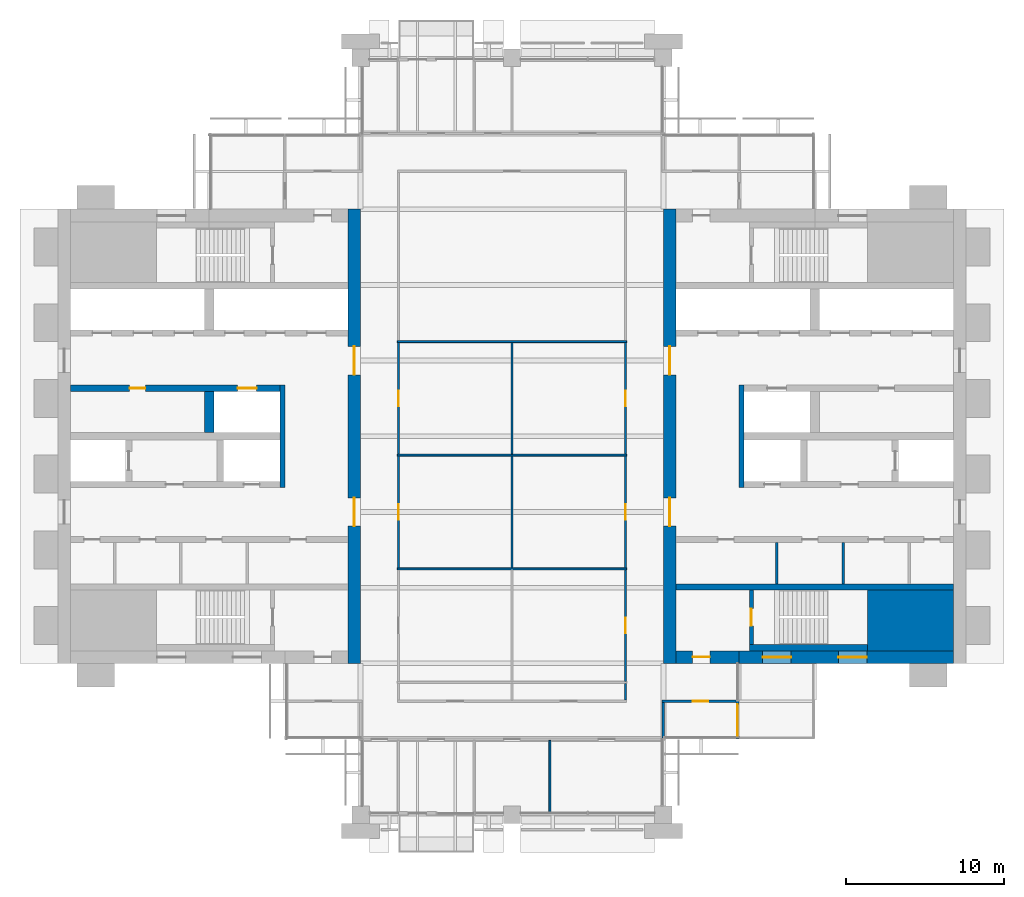
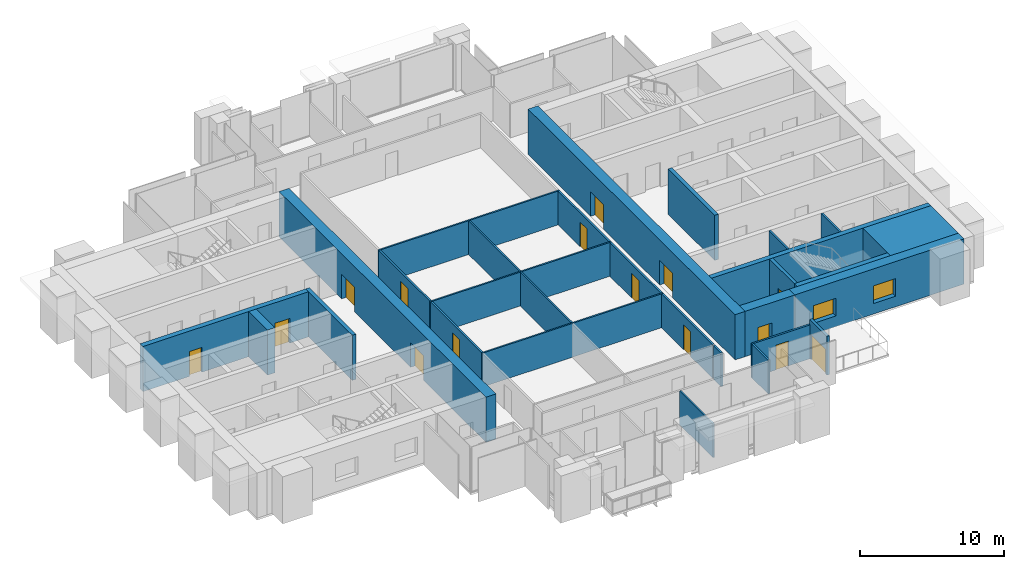
# One storey, part 9 of 14: 29 walls, 15 doors, 2 windows, 17 openings.
"""IFC4 building model written with IfcOpenShell, lengths in metres."""

from ifc_helpers import new_model, si_unit, direction, frame, frame_2d, origin, place, context, subcontext, project, spatial, rectangle, extrude, material, layer, layer_set, type_object, element, fill, save


model = new_model("IFC4")

# Units and contexts
model_context = context("Model", 3, precision=1e-05, world=origin(), true_north=direction((0.0, 1.0)))
body_context = subcontext(model_context, "Body", "Model", "MODEL_VIEW")
ifc_project = project(units=[si_unit("LENGTHUNIT", "METRE"), si_unit("AREAUNIT", "SQUARE_METRE"), si_unit("VOLUMEUNIT", "CUBIC_METRE"), si_unit("PLANEANGLEUNIT", "RADIAN"), si_unit("MASSUNIT", "GRAM", prefix="KILO")], contexts=[model_context])

# Site, building, storey
site_placement = place(None, origin())
site = spatial("IfcSite", under=ifc_project, at=site_placement, CompositionType="ELEMENT")
building_placement = place(site_placement, origin())
building = spatial("IfcBuilding", under=site, at=building_placement, Name="Baori Bourse Tower", CompositionType="ELEMENT")
storey_placement = place(building_placement, frame((0.0, 0.0, 233.199951171875)))
storey = spatial("IfcBuildingStorey", under=building, at=storey_placement, Name="L51", CompositionType="ELEMENT", Elevation=233.199951171875)

# Walls
ifc_material_1 = material(Name="Concrete f'c 50 MPa", Category="concrete")
wall_type_1 = type_object("IfcWallType", Name="Core corner block f'c 50", PredefinedType="SHEAR", material=ifc_material_1)
wall_1_placement = place(storey_placement, frame((51.35009765625, 12.324951171875, 0.0), z_axis=(0.0, 0.0, 1.0), x_axis=(1.0, 0.0, 0.0)))
element("IfcWall", 1, at=wall_1_placement, inside=storey, type_object=wall_type_1, Name="Core wall E05", PredefinedType="SHEAR", context=body_context, shape_type="SweptSolid", body=[
    extrude(rectangle(XDim=5.449951171875, YDim=3.85009765625, at=frame_2d((2.72509765625, 0.0))), origin(), (0.0, 0.0, 1.0), 3.840087890625),
])
ifc_material_2 = material(Name="Blockwork partition", Category="masonry")
ifc_layer_1 = layer(ifc_material_2, 0.14990234375)
ifc_layer_set_1 = layer_set([ifc_layer_1], Name="Core partition 150")
wall_type_2 = type_object("IfcWallType", Name="Core partition 150", PredefinedType="PARTITIONING", material=ifc_layer_set_1)
for number, where, z_axis, x_axis, name in (
    (2, (49.800048828125, 14.64990234375, 0.0), (0.0, 0.0, 1.0), (0.0, 1.0, 0.0), "Partition wall E10"),
    (3, (45.60009765625, 14.64990234375, 0.0), (0.0, 0.0, 1.0), (0.0, 1.0, 0.0), "Partition wall E11"),
):
    element("IfcWall", number, at=place(storey_placement, frame(where, z_axis=z_axis, x_axis=x_axis)), inside=storey, type_object=wall_type_2, Name=name, PredefinedType="PARTITIONING", context=body_context, shape_type="SweptSolid", body=[
        extrude(rectangle(XDim=2.60009765625, YDim=0.14990234375, at=frame_2d((1.300048828125, 0.0))), origin(), (0.0, 0.0, 1.0), 3.840087890625),
    ])

# Wall, openings, doors
ifc_material_3 = material(Name="Concrete f'c 50 MPa", Category="concrete")
ifc_layer_2 = layer(ifc_material_3, 0.800048828125)
ifc_layer_set_2 = layer_set([ifc_layer_2], Name="Core wall 800 f'c 50")
wall_type_3 = type_object("IfcWallType", Name="Core wall 800 f'c 50", PredefinedType="SHEAR", material=ifc_layer_set_2)
wall_2_placement = place(storey_placement, frame((18.800048828125, 38.39990234375, 0.0), z_axis=(0.0, 0.0, 1.0), x_axis=(0.0, -1.0, 0.0)))
wall_2 = element("IfcWall", 4, at=wall_2_placement, inside=storey, type_object=wall_type_3, Name="Core wall W04", PredefinedType="SHEAR", context=body_context, shape_type="SweptSolid", body=[
    extrude(rectangle(XDim=28.7998046875, YDim=0.800048828125, at=frame_2d((14.39990234375, 0.0))), origin(), (0.0, 0.0, 1.0), 3.840087890625),
])
opening_1_placement = place(wall_2_placement, frame((18.300048828125, 0.0, 0.0)))
opening_1 = element("IfcOpeningElement", 5, at=opening_1_placement, cuts=wall_2, Name="Opening L51-D107", PredefinedType="OPENING", context=body_context, shape_type="SweptSolid", body=[
    extrude(rectangle(XDim=1.800048828125, YDim=2.10009765625, at=frame_2d((0.89990234375, 1.050048828125))), frame((0.0, 0.409912109375, 0.0), z_axis=(0.0, -1.0, 0.0), x_axis=(1.0, 0.0, 0.0)), (0.0, 0.0, 1.0), 0.820068359375),
])
opening_2_placement = place(wall_2_placement, frame((8.699951171875, 0.0, 0.0)))
opening_2 = element("IfcOpeningElement", 6, at=opening_2_placement, cuts=wall_2, Name="Opening L51-D108", PredefinedType="OPENING", context=body_context, shape_type="SweptSolid", body=[
    extrude(rectangle(XDim=1.800048828125, YDim=2.10009765625, at=frame_2d((0.89990234375, 1.050048828125))), frame((0.0, 0.409912109375, 0.0), z_axis=(0.0, -1.0, 0.0), x_axis=(1.0, 0.0, 0.0)), (0.0, 0.0, 1.0), 0.820068359375),
])
ifc_material_4 = material(Name="Painted steel door", Category="steel")
door_type_1 = type_object("IfcDoorType", Name="Core lobby door 1800", OperationType="DOUBLE_DOOR_SINGLE_SWING", PredefinedType="DOOR", material=ifc_material_4)
door_1_placement = place(opening_1_placement, origin())
door_1 = element("IfcDoor", 7, at=door_1_placement, inside=storey, type_object=door_type_1, Name="Lobby door W L51", OperationType="DOUBLE_DOOR_SINGLE_SWING", OverallHeight=2.10009765625, OverallWidth=1.800048828125, PredefinedType="DOOR", context=body_context, shape_type="SweptSolid", body=[
    extrude(rectangle(XDim=1.800048828125, YDim=2.10009765625, at=frame_2d((0.89990234375, 1.050048828125))), frame((0.0, 0.02490234375, 0.0), z_axis=(0.0, -1.0, 0.0), x_axis=(1.0, 0.0, 0.0)), (0.0, 0.0, 1.0), 0.050048828125),
])
fill(opening_1, door_1)
door_2_placement = place(opening_2_placement, origin())
door_2 = element("IfcDoor", 8, at=door_2_placement, inside=storey, type_object=door_type_1, Name="Lobby door W L51", OperationType="DOUBLE_DOOR_SINGLE_SWING", OverallHeight=2.10009765625, OverallWidth=1.800048828125, PredefinedType="DOOR", context=body_context, shape_type="SweptSolid", body=[
    extrude(rectangle(XDim=1.800048828125, YDim=2.10009765625, at=frame_2d((0.89990234375, 1.050048828125))), frame((0.0, 0.02490234375, 0.0), z_axis=(0.0, -1.0, 0.0), x_axis=(1.0, 0.0, 0.0)), (0.0, 0.0, 1.0), 0.050048828125),
])
fill(opening_2, door_2)

# Wall, openings, windows
wall_3_placement = place(storey_placement, frame((56.800048828125, 10.0, 0.0), z_axis=(0.0, 0.0, 1.0), x_axis=(-1.0, 0.0, 0.0)))
wall_3 = element("IfcWall", 9, at=wall_3_placement, inside=storey, type_object=wall_type_3, Name="Core wall E02", PredefinedType="SHEAR", context=body_context, shape_type="SweptSolid", body=[
    extrude(rectangle(XDim=13.60009765625, YDim=0.800048828125, at=frame_2d((6.800048828125, 0.0))), origin(), (0.0, 0.0, 1.0), 3.840087890625),
])
opening_3_placement = place(wall_3_placement, frame((5.5, 0.0, 0.89990234375)))
opening_3 = element("IfcOpeningElement", 10, at=opening_3_placement, cuts=wall_3, Name="Opening L51-KW203", PredefinedType="OPENING", context=body_context, shape_type="SweptSolid", body=[
    extrude(rectangle(XDim=1.800048828125, YDim=1.5, at=frame_2d((0.89990234375, 0.75))), frame((0.0, 0.409912109375, 0.0), z_axis=(0.0, -1.0, 0.0), x_axis=(1.0, 0.0, 0.0)), (0.0, 0.0, 1.0), 0.820068359375),
])
opening_4_placement = place(wall_3_placement, frame((10.300048828125, 0.0, 0.89990234375)))
opening_4 = element("IfcOpeningElement", 11, at=opening_4_placement, cuts=wall_3, Name="Opening L51-KW204", PredefinedType="OPENING", context=body_context, shape_type="SweptSolid", body=[
    extrude(rectangle(XDim=1.800048828125, YDim=1.5, at=frame_2d((0.89990234375, 0.75))), frame((0.0, 0.409912109375, 0.0), z_axis=(0.0, -1.0, 0.0), x_axis=(1.0, 0.0, 0.0)), (0.0, 0.0, 1.0), 0.820068359375),
])
ifc_material_5 = material(Name="Pale anodised aluminium", Category="aluminium")
window_type = type_object("IfcWindowType", Name="Stair window 1800 x 1500", PartitioningType="SINGLE_PANEL", PredefinedType="WINDOW", material=ifc_material_5)
window_1_placement = place(opening_3_placement, origin())
window_1 = element("IfcWindow", 12, at=window_1_placement, inside=storey, type_object=window_type, Name="Stair window E L51 3", OverallHeight=1.5, OverallWidth=1.800048828125, PartitioningType="SINGLE_PANEL", PredefinedType="WINDOW", context=body_context, shape_type="SweptSolid", body=[
    extrude(rectangle(XDim=1.800048828125, YDim=1.5, at=frame_2d((0.89990234375, 0.75))), frame((0.0, 0.030029296875, 0.0), z_axis=(0.0, -1.0, 0.0), x_axis=(1.0, 0.0, 0.0)), (0.0, 0.0, 1.0), 0.06005859375),
])
fill(opening_3, window_1)
window_2_placement = place(opening_4_placement, origin())
window_2 = element("IfcWindow", 13, at=window_2_placement, inside=storey, type_object=window_type, Name="Stair window E L51 4", OverallHeight=1.5, OverallWidth=1.800048828125, PartitioningType="SINGLE_PANEL", PredefinedType="WINDOW", context=body_context, shape_type="SweptSolid", body=[
    extrude(rectangle(XDim=1.800048828125, YDim=1.5, at=frame_2d((0.89990234375, 0.75))), frame((0.0, 0.030029296875, 0.0), z_axis=(0.0, -1.0, 0.0), x_axis=(1.0, 0.0, 0.0)), (0.0, 0.0, 1.0), 0.06005859375),
])
fill(opening_4, window_2)

# Wall, opening, door
wall_4_placement = place(storey_placement, frame((43.199951171875, 10.0, 0.0), z_axis=(0.0, 0.0, 1.0), x_axis=(-1.0, 0.0, 0.0)))
wall_4 = element("IfcWall", 14, at=wall_4_placement, inside=storey, type_object=wall_type_3, Name="Core wall E03", PredefinedType="SHEAR", context=body_context, shape_type="SweptSolid", body=[
    extrude(rectangle(XDim=4.0, YDim=0.800048828125, at=frame_2d((2.0, 0.0))), origin(), (0.0, 0.0, 1.0), 3.840087890625),
])
opening_5_placement = place(wall_4_placement, frame((1.85009765625, 0.0, 0.0)))
opening_5 = element("IfcOpeningElement", 15, at=opening_5_placement, cuts=wall_4, Name="Opening L51-D202", PredefinedType="OPENING", context=body_context, shape_type="SweptSolid", body=[
    extrude(rectangle(XDim=1.10009765625, YDim=2.10009765625, at=frame_2d((0.550048828125, 1.050048828125))), frame((0.0, 0.409912109375, 0.0), z_axis=(0.0, -1.0, 0.0), x_axis=(1.0, 0.0, 0.0)), (0.0, 0.0, 1.0), 0.820068359375),
])
ifc_material_6 = material(Name="Painted steel door", Category="steel")
door_type_2 = type_object("IfcDoorType", Name="Stair door 1100", OperationType="SINGLE_SWING_LEFT", PredefinedType="DOOR", material=ifc_material_6)
door_3_placement = place(opening_5_placement, origin())
door_3 = element("IfcDoor", 16, at=door_3_placement, inside=storey, type_object=door_type_2, Name="Stair vestibule door A E L51", OperationType="SINGLE_SWING_LEFT", OverallHeight=2.10009765625, OverallWidth=1.10009765625, PredefinedType="DOOR", context=body_context, shape_type="SweptSolid", body=[
    extrude(rectangle(XDim=1.10009765625, YDim=2.10009765625, at=frame_2d((0.550048828125, 1.050048828125))), frame((0.0, 0.02490234375, 0.0), z_axis=(0.0, -1.0, 0.0), x_axis=(1.0, 0.0, 0.0)), (0.0, 0.0, 1.0), 0.050048828125),
])
fill(opening_5, door_3)

# Wall, openings, doors
wall_5_placement = place(storey_placement, frame((38.800048828125, 9.60009765625, 0.0), z_axis=(0.0, 0.0, 1.0), x_axis=(0.0, 1.0, 0.0)))
wall_5 = element("IfcWall", 17, at=wall_5_placement, inside=storey, type_object=wall_type_3, Name="Core wall E04", PredefinedType="SHEAR", context=body_context, shape_type="SweptSolid", body=[
    extrude(rectangle(XDim=28.7998046875, YDim=0.800048828125, at=frame_2d((14.39990234375, 0.0))), origin(), (0.0, 0.0, 1.0), 3.840087890625),
])
opening_6_placement = place(wall_5_placement, frame((8.699951171875, 0.0, 0.0)))
opening_6 = element("IfcOpeningElement", 18, at=opening_6_placement, cuts=wall_5, Name="Opening L51-D207", PredefinedType="OPENING", context=body_context, shape_type="SweptSolid", body=[
    extrude(rectangle(XDim=1.800048828125, YDim=2.10009765625, at=frame_2d((0.89990234375, 1.050048828125))), frame((0.0, 0.409912109375, 0.0), z_axis=(0.0, -1.0, 0.0), x_axis=(1.0, 0.0, 0.0)), (0.0, 0.0, 1.0), 0.820068359375),
])
opening_7_placement = place(wall_5_placement, frame((18.300048828125, 0.0, 0.0)))
opening_7 = element("IfcOpeningElement", 19, at=opening_7_placement, cuts=wall_5, Name="Opening L51-D208", PredefinedType="OPENING", context=body_context, shape_type="SweptSolid", body=[
    extrude(rectangle(XDim=1.800048828125, YDim=2.10009765625, at=frame_2d((0.89990234375, 1.050048828125))), frame((0.0, 0.409912109375, 0.0), z_axis=(0.0, -1.0, 0.0), x_axis=(1.0, 0.0, 0.0)), (0.0, 0.0, 1.0), 0.820068359375),
])
door_4_placement = place(opening_6_placement, origin())
door_4 = element("IfcDoor", 20, at=door_4_placement, inside=storey, type_object=door_type_1, Name="Lobby door E L51", OperationType="DOUBLE_DOOR_SINGLE_SWING", OverallHeight=2.10009765625, OverallWidth=1.800048828125, PredefinedType="DOOR", context=body_context, shape_type="SweptSolid", body=[
    extrude(rectangle(XDim=1.800048828125, YDim=2.10009765625, at=frame_2d((0.89990234375, 1.050048828125))), frame((0.0, 0.02490234375, 0.0), z_axis=(0.0, -1.0, 0.0), x_axis=(1.0, 0.0, 0.0)), (0.0, 0.0, 1.0), 0.050048828125),
])
fill(opening_6, door_4)
door_5_placement = place(opening_7_placement, origin())
door_5 = element("IfcDoor", 21, at=door_5_placement, inside=storey, type_object=door_type_1, Name="Lobby door E L51", OperationType="DOUBLE_DOOR_SINGLE_SWING", OverallHeight=2.10009765625, OverallWidth=1.800048828125, PredefinedType="DOOR", context=body_context, shape_type="SweptSolid", body=[
    extrude(rectangle(XDim=1.800048828125, YDim=2.10009765625, at=frame_2d((0.89990234375, 1.050048828125))), frame((0.0, 0.02490234375, 0.0), z_axis=(0.0, -1.0, 0.0), x_axis=(1.0, 0.0, 0.0)), (0.0, 0.0, 1.0), 0.050048828125),
])
fill(opening_7, door_5)

# Wall, opening, door
ifc_material_7 = material(Name="Gypsum board partition")
ifc_layer_3 = layer(ifc_material_7, 0.14990234375)
ifc_layer_set_3 = layer_set([ifc_layer_3], Name="Corridor partition 150")
wall_type_4 = type_object("IfcWallType", Name="Corridor partition 150", PredefinedType="PARTITIONING", material=ifc_layer_set_3)
wall_6_placement = place(storey_placement, frame((38.324951171875, 7.199951171875, 0.0), z_axis=(0.0, 0.0, 1.0), x_axis=(1.0, 0.0, 0.0)))
wall_6 = element("IfcWall", 22, at=wall_6_placement, inside=storey, type_object=wall_type_4, Name="Partition", PredefinedType="PARTITIONING", context=body_context, shape_type="SweptSolid", body=[
    extrude(rectangle(XDim=4.775146484375, YDim=0.14990234375, at=frame_2d((2.3876953125, 0.0))), origin(), (0.0, 0.0, 1.0), 2.869873046875),
])
opening_8_placement = place(wall_6_placement, frame((1.925048828125, 0.0, 0.0)))
opening_8 = element("IfcOpeningElement", 23, at=opening_8_placement, cuts=wall_6, Name="Opening L51-D08", PredefinedType="OPENING", context=body_context, shape_type="SweptSolid", body=[
    extrude(rectangle(XDim=1.0, YDim=2.10009765625, at=frame_2d((0.5, 1.050048828125))), frame((0.0, 0.0849609375, 0.0), z_axis=(0.0, -1.0, 0.0), x_axis=(1.0, 0.0, 0.0)), (0.0, 0.0, 1.0), 0.169921875),
])
ifc_material_8 = material(Name="Timber door leaf", Category="wood")
door_type_3 = type_object("IfcDoorType", Name="Door 1000 x 2100", OperationType="SINGLE_SWING_LEFT", PredefinedType="DOOR", material=ifc_material_8)
door_6_placement = place(opening_8_placement, origin())
door_6 = element("IfcDoor", 24, at=door_6_placement, inside=storey, type_object=door_type_3, Name="Door", OperationType="SINGLE_SWING_RIGHT", OverallHeight=2.10009765625, OverallWidth=1.0, PredefinedType="DOOR", context=body_context, shape_type="SweptSolid", body=[
    extrude(rectangle(XDim=1.0, YDim=2.10009765625, at=frame_2d((0.5, 1.050048828125))), frame((0.0, 0.02490234375, 0.0), z_axis=(0.0, -1.0, 0.0), x_axis=(1.0, 0.0, 0.0)), (0.0, 0.0, 1.0), 0.050048828125),
])
fill(opening_8, door_6)

wall_7_placement = place(storey_placement, frame((21.60009765625, 15.66259765625, 0.0), z_axis=(0.0, 0.0, 1.0), x_axis=(0.0, 1.0, 0.0)))
wall_7 = element("IfcWall", 25, at=wall_7_placement, inside=storey, type_object=wall_type_4, Name="Partition", PredefinedType="PARTITIONING", context=body_context, shape_type="SweptSolid", body=[
    extrude(rectangle(XDim=7.074951171875, YDim=0.14990234375, at=frame_2d((3.53759765625, 0.0))), origin(), (0.0, 0.0, 1.0), 2.869873046875),
])
opening_9_placement = place(wall_7_placement, frame((3.03759765625, 0.0, 0.0)))
opening_9 = element("IfcOpeningElement", 26, at=opening_9_placement, cuts=wall_7, Name="Opening L51-D18", PredefinedType="OPENING", context=body_context, shape_type="SweptSolid", body=[
    extrude(rectangle(XDim=1.0, YDim=2.10009765625, at=frame_2d((0.5, 1.050048828125))), frame((0.0, 0.0849609375, 0.0), z_axis=(0.0, -1.0, 0.0), x_axis=(1.0, 0.0, 0.0)), (0.0, 0.0, 1.0), 0.169921875),
])
door_7_placement = place(opening_9_placement, origin())
door_7 = element("IfcDoor", 27, at=door_7_placement, inside=storey, type_object=door_type_3, Name="Door", OperationType="SINGLE_SWING_LEFT", OverallHeight=2.10009765625, OverallWidth=1.0, PredefinedType="DOOR", context=body_context, shape_type="SweptSolid", body=[
    extrude(rectangle(XDim=1.0, YDim=2.10009765625, at=frame_2d((0.5, 1.050048828125))), frame((0.0, 0.02490234375, 0.0), z_axis=(0.0, -1.0, 0.0), x_axis=(1.0, 0.0, 0.0)), (0.0, 0.0, 1.0), 0.050048828125),
])
fill(opening_9, door_7)

wall_8_placement = place(storey_placement, frame((21.60009765625, 22.862548828125, 0.0), z_axis=(0.0, 0.0, 1.0), x_axis=(0.0, 1.0, 0.0)))
wall_8 = element("IfcWall", 28, at=wall_8_placement, inside=storey, type_object=wall_type_4, Name="Partition", PredefinedType="PARTITIONING", context=body_context, shape_type="SweptSolid", body=[
    extrude(rectangle(XDim=7.074951171875, YDim=0.14990234375, at=frame_2d((3.53759765625, 0.0))), origin(), (0.0, 0.0, 1.0), 2.869873046875),
])
opening_10_placement = place(wall_8_placement, frame((3.03759765625, 0.0, 0.0)))
opening_10 = element("IfcOpeningElement", 29, at=opening_10_placement, cuts=wall_8, Name="Opening L51-D19", PredefinedType="OPENING", context=body_context, shape_type="SweptSolid", body=[
    extrude(rectangle(XDim=1.0, YDim=2.10009765625, at=frame_2d((0.5, 1.050048828125))), frame((0.0, 0.0849609375, 0.0), z_axis=(0.0, -1.0, 0.0), x_axis=(1.0, 0.0, 0.0)), (0.0, 0.0, 1.0), 0.169921875),
])
door_8_placement = place(opening_10_placement, origin())
door_8 = element("IfcDoor", 30, at=door_8_placement, inside=storey, type_object=door_type_3, Name="Door", OperationType="SINGLE_SWING_LEFT", OverallHeight=2.10009765625, OverallWidth=1.0, PredefinedType="DOOR", context=body_context, shape_type="SweptSolid", body=[
    extrude(rectangle(XDim=1.0, YDim=2.10009765625, at=frame_2d((0.5, 1.050048828125))), frame((0.0, 0.02490234375, 0.0), z_axis=(0.0, -1.0, 0.0), x_axis=(1.0, 0.0, 0.0)), (0.0, 0.0, 1.0), 0.050048828125),
])
fill(opening_10, door_8)

# Wall
wall_9_placement = place(storey_placement, frame((36.0, 7.27490234375, 0.0), z_axis=(0.0, 0.0, 1.0), x_axis=(0.0, 1.0, 0.0)))
element("IfcWall", 31, at=wall_9_placement, inside=storey, type_object=wall_type_4, Name="Partition", PredefinedType="PARTITIONING", context=body_context, shape_type="SweptSolid", body=[
    extrude(rectangle(XDim=1.0625, YDim=0.14990234375, at=frame_2d((0.53125, 0.0))), origin(), (0.0, 0.0, 1.0), 2.869873046875),
])

# Wall, opening, door
wall_10_placement = place(storey_placement, frame((36.0, 8.46240234375, 0.0), z_axis=(0.0, 0.0, 1.0), x_axis=(0.0, 1.0, 0.0)))
wall_10 = element("IfcWall", 32, at=wall_10_placement, inside=storey, type_object=wall_type_4, Name="Partition", PredefinedType="PARTITIONING", context=body_context, shape_type="SweptSolid", body=[
    extrude(rectangle(XDim=7.0751953125, YDim=0.14990234375, at=frame_2d((3.53759765625, 0.0))), origin(), (0.0, 0.0, 1.0), 2.869873046875),
])
opening_11_placement = place(wall_10_placement, frame((3.03759765625, 0.0, 0.0)))
opening_11 = element("IfcOpeningElement", 33, at=opening_11_placement, cuts=wall_10, Name="Opening L51-D20", PredefinedType="OPENING", context=body_context, shape_type="SweptSolid", body=[
    extrude(rectangle(XDim=1.0, YDim=2.10009765625, at=frame_2d((0.5, 1.050048828125))), frame((0.0, 0.0849609375, 0.0), z_axis=(0.0, -1.0, 0.0), x_axis=(1.0, 0.0, 0.0)), (0.0, 0.0, 1.0), 0.169921875),
])
door_9_placement = place(opening_11_placement, origin())
door_9 = element("IfcDoor", 34, at=door_9_placement, inside=storey, type_object=door_type_3, Name="Door", OperationType="SINGLE_SWING_RIGHT", OverallHeight=2.10009765625, OverallWidth=1.0, PredefinedType="DOOR", context=body_context, shape_type="SweptSolid", body=[
    extrude(rectangle(XDim=1.0, YDim=2.10009765625, at=frame_2d((0.5, 1.050048828125))), frame((0.0, 0.02490234375, 0.0), z_axis=(0.0, -1.0, 0.0), x_axis=(1.0, 0.0, 0.0)), (0.0, 0.0, 1.0), 0.050048828125),
])
fill(opening_11, door_9)

wall_11_placement = place(storey_placement, frame((36.0, 15.66259765625, 0.0), z_axis=(0.0, 0.0, 1.0), x_axis=(0.0, 1.0, 0.0)))
wall_11 = element("IfcWall", 35, at=wall_11_placement, inside=storey, type_object=wall_type_4, Name="Partition", PredefinedType="PARTITIONING", context=body_context, shape_type="SweptSolid", body=[
    extrude(rectangle(XDim=7.074951171875, YDim=0.14990234375, at=frame_2d((3.53759765625, 0.0))), origin(), (0.0, 0.0, 1.0), 2.869873046875),
])
opening_12_placement = place(wall_11_placement, frame((3.03759765625, 0.0, 0.0)))
opening_12 = element("IfcOpeningElement", 36, at=opening_12_placement, cuts=wall_11, Name="Opening L51-D21", PredefinedType="OPENING", context=body_context, shape_type="SweptSolid", body=[
    extrude(rectangle(XDim=1.0, YDim=2.10009765625, at=frame_2d((0.5, 1.050048828125))), frame((0.0, 0.0849609375, 0.0), z_axis=(0.0, -1.0, 0.0), x_axis=(1.0, 0.0, 0.0)), (0.0, 0.0, 1.0), 0.169921875),
])
door_10_placement = place(opening_12_placement, origin())
door_10 = element("IfcDoor", 37, at=door_10_placement, inside=storey, type_object=door_type_3, Name="Door", OperationType="SINGLE_SWING_RIGHT", OverallHeight=2.10009765625, OverallWidth=1.0, PredefinedType="DOOR", context=body_context, shape_type="SweptSolid", body=[
    extrude(rectangle(XDim=1.0, YDim=2.10009765625, at=frame_2d((0.5, 1.050048828125))), frame((0.0, 0.02490234375, 0.0), z_axis=(0.0, -1.0, 0.0), x_axis=(1.0, 0.0, 0.0)), (0.0, 0.0, 1.0), 0.050048828125),
])
fill(opening_12, door_10)

wall_12_placement = place(storey_placement, frame((36.0, 22.862548828125, 0.0), z_axis=(0.0, 0.0, 1.0), x_axis=(0.0, 1.0, 0.0)))
wall_12 = element("IfcWall", 38, at=wall_12_placement, inside=storey, type_object=wall_type_4, Name="Partition", PredefinedType="PARTITIONING", context=body_context, shape_type="SweptSolid", body=[
    extrude(rectangle(XDim=7.074951171875, YDim=0.14990234375, at=frame_2d((3.53759765625, 0.0))), origin(), (0.0, 0.0, 1.0), 2.869873046875),
])
opening_13_placement = place(wall_12_placement, frame((3.03759765625, 0.0, 0.0)))
opening_13 = element("IfcOpeningElement", 39, at=opening_13_placement, cuts=wall_12, Name="Opening L51-D22", PredefinedType="OPENING", context=body_context, shape_type="SweptSolid", body=[
    extrude(rectangle(XDim=1.0, YDim=2.10009765625, at=frame_2d((0.5, 1.050048828125))), frame((0.0, 0.0849609375, 0.0), z_axis=(0.0, -1.0, 0.0), x_axis=(1.0, 0.0, 0.0)), (0.0, 0.0, 1.0), 0.169921875),
])
door_11_placement = place(opening_13_placement, origin())
door_11 = element("IfcDoor", 40, at=door_11_placement, inside=storey, type_object=door_type_3, Name="Door", OperationType="SINGLE_SWING_RIGHT", OverallHeight=2.10009765625, OverallWidth=1.0, PredefinedType="DOOR", context=body_context, shape_type="SweptSolid", body=[
    extrude(rectangle(XDim=1.0, YDim=2.10009765625, at=frame_2d((0.5, 1.050048828125))), frame((0.0, 0.02490234375, 0.0), z_axis=(0.0, -1.0, 0.0), x_axis=(1.0, 0.0, 0.0)), (0.0, 0.0, 1.0), 0.050048828125),
])
fill(opening_13, door_11)

# Wall
wall_13_placement = place(storey_placement, frame((38.39990234375, 4.875, 0.0), z_axis=(0.0, 0.0, 1.0), x_axis=(0.0, 1.0, 0.0)))
element("IfcWall", 41, at=wall_13_placement, inside=storey, type_object=wall_type_4, Name="Partition", PredefinedType="PARTITIONING", context=body_context, shape_type="SweptSolid", body=[
    extrude(rectangle(XDim=2.25, YDim=0.14990234375, at=frame_2d((1.125, 0.0))), origin(), (0.0, 0.0, 1.0), 2.869873046875),
])

# Wall, opening, door
ifc_material_9 = material(Name="Pale anodised aluminium", Category="aluminium")
ifc_layer_4 = layer(ifc_material_9, 0.199951171875)
ifc_layer_set_4 = layer_set([ifc_layer_4], Name="EW1 External wall bay")
wall_type_5 = type_object("IfcWallType", Name="EW1 External wall bay", PredefinedType="SOLIDWALL", material=ifc_layer_set_4)
wall_14_placement = place(storey_placement, frame((43.10009765625, 4.800048828125, 0.0), z_axis=(0.0, 0.0, 1.0), x_axis=(0.0, 1.0, 0.0)))
wall_14 = element("IfcWall", 42, at=wall_14_placement, inside=storey, type_object=wall_type_5, Name="External wall bay L51 3", PredefinedType="SOLIDWALL", context=body_context, shape_type="SweptSolid", body=[
    extrude(rectangle(XDim=2.39990234375, YDim=0.199951171875, at=frame_2d((1.199951171875, 0.0))), origin(), (0.0, 0.0, 1.0), 3.29638671875),
])
opening_14_placement = place(wall_14_placement, frame((0.199951171875, 0.0, 0.0)))
opening_14 = element("IfcOpeningElement", 43, at=opening_14_placement, cuts=wall_14, Name="Opening L51-D93", PredefinedType="OPENING", context=body_context, shape_type="SweptSolid", body=[
    extrude(rectangle(XDim=2.0, YDim=2.10009765625, at=frame_2d((1.0, 1.050048828125))), frame((0.0, 0.10986328125, 0.0), z_axis=(0.0, -1.0, 0.0), x_axis=(1.0, 0.0, 0.0)), (0.0, 0.0, 1.0), 0.219970703125),
])
ifc_material_10 = material(Name="Pale anodised aluminium", Category="aluminium")
door_type_4 = type_object("IfcDoorType", Name="TR1 Terrace door", OperationType="DOUBLE_DOOR_SINGLE_SWING", PredefinedType="DOOR", material=ifc_material_10)
door_12_placement = place(opening_14_placement, origin())
door_12 = element("IfcDoor", 44, at=door_12_placement, inside=storey, type_object=door_type_4, Name="Terrace door L51 3", OperationType="SINGLE_SWING_LEFT", OverallHeight=2.10009765625, OverallWidth=2.0, PredefinedType="DOOR", context=body_context, shape_type="SweptSolid", body=[
    extrude(rectangle(XDim=2.0, YDim=2.10009765625, at=frame_2d((1.0, 1.050048828125))), frame((0.0, 0.02490234375, 0.0), z_axis=(0.0, -1.0, 0.0), x_axis=(1.0, 0.0, 0.0)), (0.0, 0.0, 1.0), 0.050048828125),
])
fill(opening_14, door_12)

# Walls
ifc_material_11 = material(Name="Gypsum board partition")
ifc_layer_5 = layer(ifc_material_11, 0.125)
ifc_layer_set_5 = layer_set([ifc_layer_5], Name="Partition 125")
wall_type_6 = type_object("IfcWallType", Name="Partition 125", PredefinedType="PARTITIONING", material=ifc_layer_set_5)
for number, where, z_axis, x_axis, name in (
    (45, (21.52490234375, 15.60009765625, 0.0), (0.0, 0.0, 1.0), (1.0, 0.0, 0.0), "Partition"),
    (46, (21.52490234375, 22.800048828125, 0.0), (0.0, 0.0, 1.0), (1.0, 0.0, 0.0), "Partition"),
    (47, (21.52490234375, 30.0, 0.0), (0.0, 0.0, 1.0), (1.0, 0.0, 0.0), "Partition"),
):
    element("IfcWall", number, at=place(storey_placement, frame(where, z_axis=z_axis, x_axis=x_axis)), inside=storey, type_object=wall_type_6, Name=name, PredefinedType="PARTITIONING", context=body_context, shape_type="SweptSolid", body=[
        extrude(rectangle(XDim=14.550048828125, YDim=0.125, at=frame_2d((7.27490234375, 0.0))), origin(), (0.0, 0.0, 1.0), 2.869873046875),
    ])
for number, where, z_axis, x_axis, name in (
    (48, (28.800048828125, 15.66259765625, 0.0), (0.0, 0.0, 1.0), (0.0, 1.0, 0.0), "Partition"),
    (49, (28.800048828125, 22.862548828125, 0.0), (0.0, 0.0, 1.0), (0.0, 1.0, 0.0), "Partition"),
):
    element("IfcWall", number, at=place(storey_placement, frame(where, z_axis=z_axis, x_axis=x_axis)), inside=storey, type_object=wall_type_6, Name=name, PredefinedType="PARTITIONING", context=body_context, shape_type="SweptSolid", body=[
        extrude(rectangle(XDim=7.074951171875, YDim=0.125, at=frame_2d((3.53759765625, 0.0))), origin(), (0.0, 0.0, 1.0), 2.869873046875),
    ])
wall_15_placement = place(storey_placement, frame((31.199951171875, 0.10009765625, 0.0), z_axis=(0.0, 0.0, 1.0), x_axis=(0.0, 1.0, 0.0)))
element("IfcWall", 50, at=wall_15_placement, inside=storey, type_object=wall_type_6, Name="Partition", PredefinedType="PARTITIONING", context=body_context, shape_type="SweptSolid", body=[
    extrude(rectangle(XDim=4.625, YDim=0.125, at=frame_2d((2.3125, 0.0))), origin(), (0.0, 0.0, 1.0), 2.869873046875),
])

# Wall, opening, door
ifc_material_12 = material(Name="Concrete f'c 50 MPa", Category="concrete")
ifc_layer_6 = layer(ifc_material_12, 0.25)
ifc_layer_set_6 = layer_set([ifc_layer_6], Name="Shaft wall 250 f'c 50")
wall_type_7 = type_object("IfcWallType", Name="Shaft wall 250 f'c 50", PredefinedType="SHEAR", material=ifc_layer_set_6)
wall_16_placement = place(storey_placement, frame((43.97509765625, 10.800048828125, 0.0), z_axis=(0.0, 0.0, 1.0), x_axis=(0.0, 1.0, 0.0)))
wall_16 = element("IfcWall", 51, at=wall_16_placement, inside=storey, type_object=wall_type_7, Name="Core wall E07", PredefinedType="SHEAR", context=body_context, shape_type="SweptSolid", body=[
    extrude(rectangle(XDim=3.449951171875, YDim=0.25, at=frame_2d((1.72509765625, 0.0))), origin(), (0.0, 0.0, 1.0), 3.840087890625),
])
opening_15_placement = place(wall_16_placement, frame((1.175048828125, 0.0, 0.0)))
opening_15 = element("IfcOpeningElement", 52, at=opening_15_placement, cuts=wall_16, Name="Opening L51-D201", PredefinedType="OPENING", context=body_context, shape_type="SweptSolid", body=[
    extrude(rectangle(XDim=1.10009765625, YDim=2.10009765625, at=frame_2d((0.550048828125, 1.050048828125))), frame((0.0, 0.135009765625, 0.0), z_axis=(0.0, -1.0, 0.0), x_axis=(1.0, 0.0, 0.0)), (0.0, 0.0, 1.0), 0.27001953125),
])
door_13_placement = place(opening_15_placement, origin())
door_13 = element("IfcDoor", 53, at=door_13_placement, inside=storey, type_object=door_type_2, Name="Stair door A E L51", OperationType="SINGLE_SWING_LEFT", OverallHeight=2.10009765625, OverallWidth=1.10009765625, PredefinedType="DOOR", context=body_context, shape_type="SweptSolid", body=[
    extrude(rectangle(XDim=1.10009765625, YDim=2.10009765625, at=frame_2d((0.550048828125, 1.050048828125))), frame((0.0, 0.02490234375, 0.0), z_axis=(0.0, -1.0, 0.0), x_axis=(1.0, 0.0, 0.0)), (0.0, 0.0, 1.0), 0.050048828125),
])
fill(opening_15, door_13)

# Walls
ifc_material_13 = material(Name="Concrete f'c 50 MPa", Category="concrete")
ifc_layer_7 = layer(ifc_material_13, 0.300048828125)
ifc_layer_set_7 = layer_set([ifc_layer_7], Name="Shaft wall 300 f'c 50")
wall_type_8 = type_object("IfcWallType", Name="Shaft wall 300 f'c 50", PredefinedType="SHEAR", material=ifc_layer_set_7)
for number, where, z_axis, x_axis, name in (
    (54, (14.25, 20.75, 0.0), (0.0, 0.0, 1.0), (0.0, 1.0, 0.0), "Core wall W14"),
    (55, (43.35009765625, 20.75, 0.0), (0.0, 0.0, 1.0), (0.0, 1.0, 0.0), "Core wall E14"),
):
    element("IfcWall", number, at=place(storey_placement, frame(where, z_axis=z_axis, x_axis=x_axis)), inside=storey, type_object=wall_type_8, Name=name, PredefinedType="SHEAR", context=body_context, shape_type="SweptSolid", body=[
        extrude(rectangle(XDim=6.5, YDim=0.300048828125, at=frame_2d((3.25, 0.0))), origin(), (0.0, 0.0, 1.0), 3.840087890625),
    ])

# Wall, openings, doors
ifc_material_14 = material(Name="Concrete f'c 50 MPa", Category="concrete")
ifc_layer_8 = layer(ifc_material_14, 0.39990234375)
ifc_layer_set_8 = layer_set([ifc_layer_8], Name="Shaft wall 400 f'c 50")
wall_type_9 = type_object("IfcWallType", Name="Shaft wall 400 f'c 50", PredefinedType="SHEAR", material=ifc_layer_set_8)
wall_17_placement = place(storey_placement, frame((0.800048828125, 27.050048828125, 0.0), z_axis=(0.0, 0.0, 1.0), x_axis=(1.0, 0.0, 0.0)))
wall_17 = element("IfcWall", 56, at=wall_17_placement, inside=storey, type_object=wall_type_9, Name="Core wall W19", PredefinedType="SHEAR", context=body_context, shape_type="SweptSolid", body=[
    extrude(rectangle(XDim=13.300048828125, YDim=0.39990234375, at=frame_2d((6.64990234375, 0.0))), origin(), (0.0, 0.0, 1.0), 3.840087890625),
])
opening_16_placement = place(wall_17_placement, frame((3.75, 0.0, 0.0)))
opening_16 = element("IfcOpeningElement", 57, at=opening_16_placement, cuts=wall_17, Name="Opening L51-D113", PredefinedType="OPENING", context=body_context, shape_type="SweptSolid", body=[
    extrude(rectangle(XDim=1.0, YDim=2.10009765625, at=frame_2d((0.5, 1.050048828125))), frame((0.0, 0.2099609375, 0.0), z_axis=(0.0, -1.0, 0.0), x_axis=(1.0, 0.0, 0.0)), (0.0, 0.0, 1.0), 0.419921875),
])
opening_17_placement = place(wall_17_placement, frame((10.60009765625, 0.0, 0.0)))
opening_17 = element("IfcOpeningElement", 58, at=opening_17_placement, cuts=wall_17, Name="Opening L51-D120", PredefinedType="OPENING", context=body_context, shape_type="SweptSolid", body=[
    extrude(rectangle(XDim=1.199951171875, YDim=2.10009765625, at=frame_2d((0.60009765625, 1.050048828125))), frame((0.0, 0.2099609375, 0.0), z_axis=(0.0, -1.0, 0.0), x_axis=(1.0, 0.0, 0.0)), (0.0, 0.0, 1.0), 0.419921875),
])
ifc_material_15 = material(Name="Painted steel door", Category="steel")
door_type_5 = type_object("IfcDoorType", Name="Core door 1000", OperationType="SINGLE_SWING_LEFT", PredefinedType="DOOR", material=ifc_material_15)
door_14_placement = place(opening_16_placement, origin())
door_14 = element("IfcDoor", 59, at=door_14_placement, inside=storey, type_object=door_type_5, Name="Recycling Room door W L51", OperationType="SINGLE_SWING_LEFT", OverallHeight=2.10009765625, OverallWidth=1.0, PredefinedType="DOOR", context=body_context, shape_type="SweptSolid", body=[
    extrude(rectangle(XDim=1.0, YDim=2.10009765625, at=frame_2d((0.5, 1.050048828125))), frame((0.0, 0.02490234375, 0.0), z_axis=(0.0, -1.0, 0.0), x_axis=(1.0, 0.0, 0.0)), (0.0, 0.0, 1.0), 0.050048828125),
])
fill(opening_16, door_14)
ifc_material_16 = material(Name="Stainless steel door", Category="steel")
door_type_6 = type_object("IfcDoorType", Name="Lift landing door", OperationType="DOUBLE_DOOR_SLIDING", PredefinedType="DOOR", material=ifc_material_16)
door_15_placement = place(opening_17_placement, origin())
door_15 = element("IfcDoor", 60, at=door_15_placement, inside=storey, type_object=door_type_6, Name="Lift landing door SV1 W L51", OperationType="DOUBLE_DOOR_SLIDING", OverallHeight=2.10009765625, OverallWidth=1.199951171875, PredefinedType="DOOR", context=body_context, shape_type="SweptSolid", body=[
    extrude(rectangle(XDim=1.199951171875, YDim=2.10009765625, at=frame_2d((0.60009765625, 1.050048828125))), frame((0.0, 0.02490234375, 0.0), z_axis=(0.0, -1.0, 0.0), x_axis=(1.0, 0.0, 0.0)), (0.0, 0.0, 1.0), 0.050048828125),
])
fill(opening_17, door_15)

# Walls
wall_18_placement = place(storey_placement, frame((43.85009765625, 10.60009765625, 0.0), z_axis=(0.0, 0.0, 1.0), x_axis=(1.0, 0.0, 0.0)))
element("IfcWall", 61, at=wall_18_placement, inside=storey, type_object=wall_type_9, Name="Core wall E06", PredefinedType="SHEAR", context=body_context, shape_type="SweptSolid", body=[
    extrude(rectangle(XDim=7.5, YDim=0.39990234375, at=frame_2d((3.75, 0.0))), origin(), (0.0, 0.0, 1.0), 3.840087890625),
])
wall_19_placement = place(storey_placement, frame((39.199951171875, 14.449951171875, 0.0), z_axis=(0.0, 0.0, 1.0), x_axis=(1.0, 0.0, 0.0)))
element("IfcWall", 62, at=wall_19_placement, inside=storey, type_object=wall_type_9, Name="Core wall E08", PredefinedType="SHEAR", context=body_context, shape_type="SweptSolid", body=[
    extrude(rectangle(XDim=17.60009765625, YDim=0.39990234375, at=frame_2d((8.800048828125, 0.0))), origin(), (0.0, 0.0, 1.0), 3.840087890625),
])
ifc_material_17 = material(Name="Concrete f'c 50 MPa", Category="concrete")
ifc_layer_9 = layer(ifc_material_17, 0.60009765625)
ifc_layer_set_9 = layer_set([ifc_layer_9], Name="Shaft wall 600 f'c 50")
wall_type_10 = type_object("IfcWallType", Name="Shaft wall 600 f'c 50", PredefinedType="SHEAR", material=ifc_layer_set_9)
wall_20_placement = place(storey_placement, frame((9.60009765625, 24.25, 0.0), z_axis=(0.0, 0.0, 1.0), x_axis=(0.0, 1.0, 0.0)))
element("IfcWall", 63, at=wall_20_placement, inside=storey, type_object=wall_type_10, Name="Core wall W18", PredefinedType="SHEAR", context=body_context, shape_type="SweptSolid", body=[
    extrude(rectangle(XDim=2.60009765625, YDim=0.60009765625, at=frame_2d((1.300048828125, 0.0))), origin(), (0.0, 0.0, 1.0), 3.840087890625),
])

save(model, "model.ifc")
